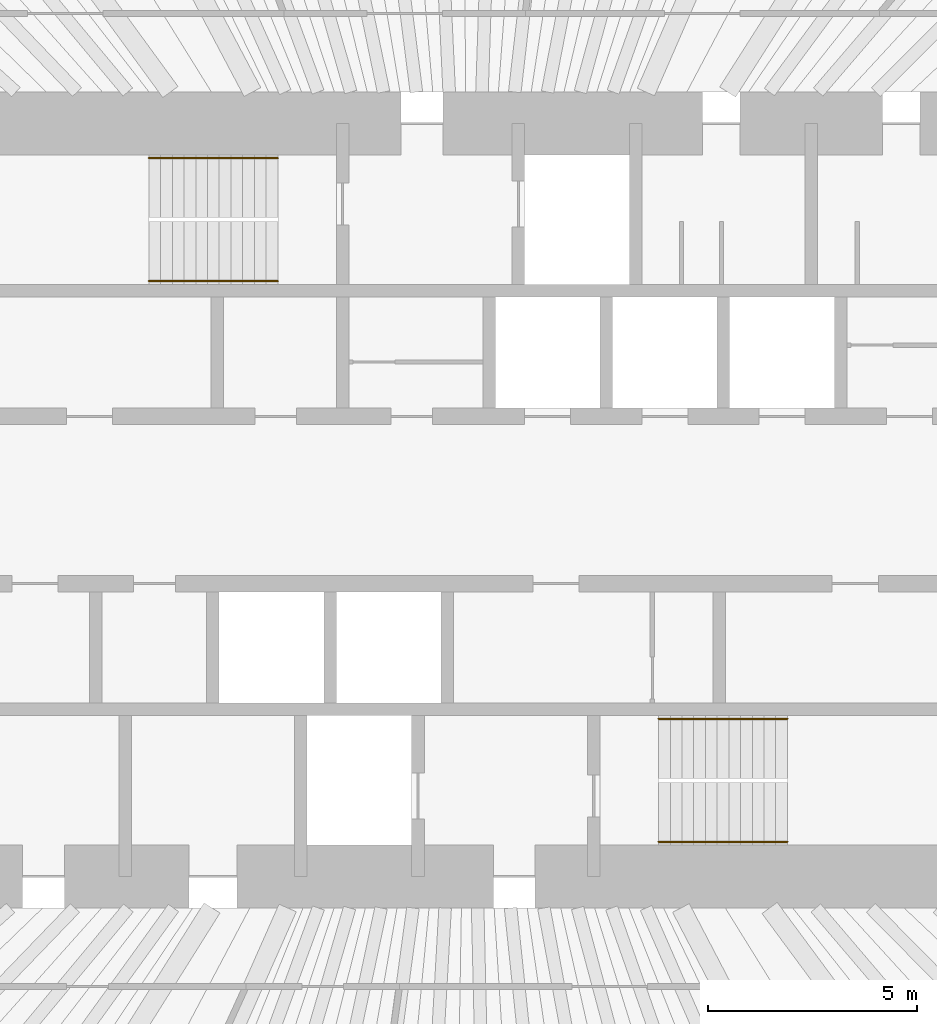
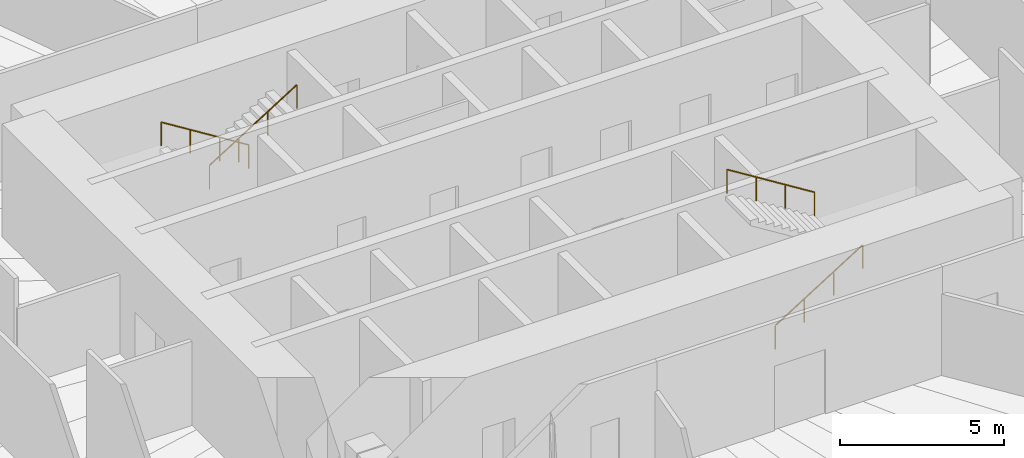
# One storey, part 13 of 13: 4 railings.
"""IFC4 building model written with IfcOpenShell, lengths in metres."""

from ifc_helpers import new_model, si_unit, direction, frame, origin, origin_2d, place, context, subcontext, project, spatial, circle, extrude, material, type_object, element, save


model = new_model("IFC4")

# Units and contexts
model_context = context("Model", 3, precision=1e-05, world=origin(), true_north=direction((0.0, 1.0)))
body_context = subcontext(model_context, "Body", "Model", "MODEL_VIEW")
ifc_project = project(units=[si_unit("LENGTHUNIT", "METRE"), si_unit("AREAUNIT", "SQUARE_METRE"), si_unit("VOLUMEUNIT", "CUBIC_METRE"), si_unit("PLANEANGLEUNIT", "RADIAN"), si_unit("MASSUNIT", "GRAM", prefix="KILO")], contexts=[model_context])

# Site, building, storey
site_placement = place(None, origin())
site = spatial("IfcSite", under=ifc_project, at=site_placement, CompositionType="ELEMENT")
building_placement = place(site_placement, origin())
building = spatial("IfcBuilding", under=site, at=building_placement, Name="Qingtian Harvest Tower", CompositionType="ELEMENT")
storey_placement = place(building_placement, frame((0.0, 0.0, 166.0)))
storey = spatial("IfcBuildingStorey", under=building, at=storey_placement, Name="L35", CompositionType="ELEMENT", Elevation=166.0)

# Railings
ifc_material = material(Name="Stainless steel handrail", Category="steel")
railing_type = type_object("IfcRailingType", Name="Handrail HR1", PredefinedType="HANDRAIL", material=ifc_material)
railing_1_placement = place(storey_placement, frame((-4.550048828125, 8.169921875, 0.175048828125)))
element("IfcRailing", 1, at=railing_1_placement, inside=storey, type_object=railing_type, Name="Handrail HR1 S1 flight 1", PredefinedType="HANDRAIL", context=body_context, shape_type="SweptSolid", body=[
    extrude(circle(Radius=0.02392578125, at=origin_2d()), frame((0.0, 0.0, 0.8759765625), z_axis=(-0.847979421464, 0.0, 0.530029150871), x_axis=(0.0, -1.0, 0.0)), (0.0, 0.0, 1.0), 3.632080078125),
    extrude(circle(Radius=0.02099609375, at=origin_2d()), origin(), (0.0, 0.0, 1.0), 0.851806640625),
    extrude(circle(Radius=0.02099609375, at=origin_2d()), frame((-1.026611328125, 0.0, 0.6416015625)), (0.0, 0.0, 1.0), 0.851806640625),
    extrude(circle(Radius=0.02099609375, at=origin_2d()), frame((-2.05322265625, 0.0, 1.283447265625)), (0.0, 0.0, 1.0), 0.851806640625),
    extrude(circle(Radius=0.02099609375, at=origin_2d()), frame((-3.079833984375, 0.0, 1.925048828125)), (0.0, 0.0, 1.0), 0.851806640625),
])
for number, where, name in (
    (2, (-7.6298828125, 5.22998046875, 2.27490234375), "Handrail HR1 S1 flight 2"),
    (3, (4.550048828125, -8.169921875, 0.175048828125), "Handrail HR1 S2 flight 1"),
):
    element("IfcRailing", number, at=place(storey_placement, frame(where)), inside=storey, type_object=railing_type, Name=name, PredefinedType="HANDRAIL", context=body_context, shape_type="SweptSolid", body=[
        extrude(circle(Radius=0.02392578125, at=origin_2d()), frame((0.0, 0.0, 0.8759765625), z_axis=(0.847979421464, 0.0, 0.530029150871), x_axis=(0.0, 1.0, 0.0)), (0.0, 0.0, 1.0), 3.632080078125),
        extrude(circle(Radius=0.02099609375, at=origin_2d()), origin(), (0.0, 0.0, 1.0), 0.851806640625),
        extrude(circle(Radius=0.02099609375, at=origin_2d()), frame((1.026611328125, 0.0, 0.6416015625)), (0.0, 0.0, 1.0), 0.851806640625),
        extrude(circle(Radius=0.02099609375, at=origin_2d()), frame((2.05322265625, 0.0, 1.283447265625)), (0.0, 0.0, 1.0), 0.851806640625),
        extrude(circle(Radius=0.02099609375, at=origin_2d()), frame((3.079833984375, 0.0, 1.925048828125)), (0.0, 0.0, 1.0), 0.851806640625),
    ])
railing_2_placement = place(storey_placement, frame((7.6298828125, -5.22998046875, 2.27490234375)))
element("IfcRailing", 4, at=railing_2_placement, inside=storey, type_object=railing_type, Name="Handrail HR1 S2 flight 2", PredefinedType="HANDRAIL", context=body_context, shape_type="SweptSolid", body=[
    extrude(circle(Radius=0.02392578125, at=origin_2d()), frame((0.0, 0.0, 0.8759765625), z_axis=(-0.847979421464, 0.0, 0.530029150871), x_axis=(0.0, -1.0, 0.0)), (0.0, 0.0, 1.0), 3.632080078125),
    extrude(circle(Radius=0.02099609375, at=origin_2d()), origin(), (0.0, 0.0, 1.0), 0.851806640625),
    extrude(circle(Radius=0.02099609375, at=origin_2d()), frame((-1.026611328125, 0.0, 0.6416015625)), (0.0, 0.0, 1.0), 0.851806640625),
    extrude(circle(Radius=0.02099609375, at=origin_2d()), frame((-2.05322265625, 0.0, 1.283447265625)), (0.0, 0.0, 1.0), 0.851806640625),
    extrude(circle(Radius=0.02099609375, at=origin_2d()), frame((-3.079833984375, 0.0, 1.925048828125)), (0.0, 0.0, 1.0), 0.851806640625),
])

save(model, "model.ifc")
